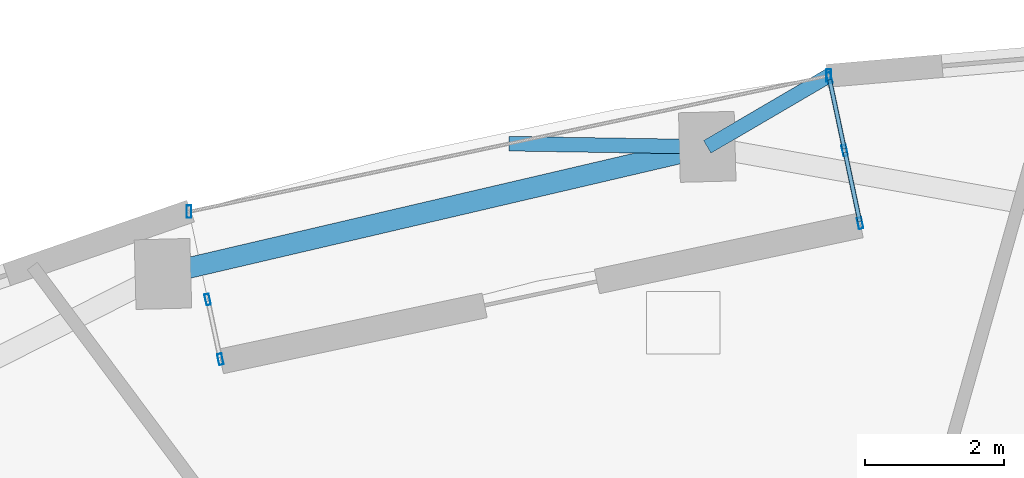
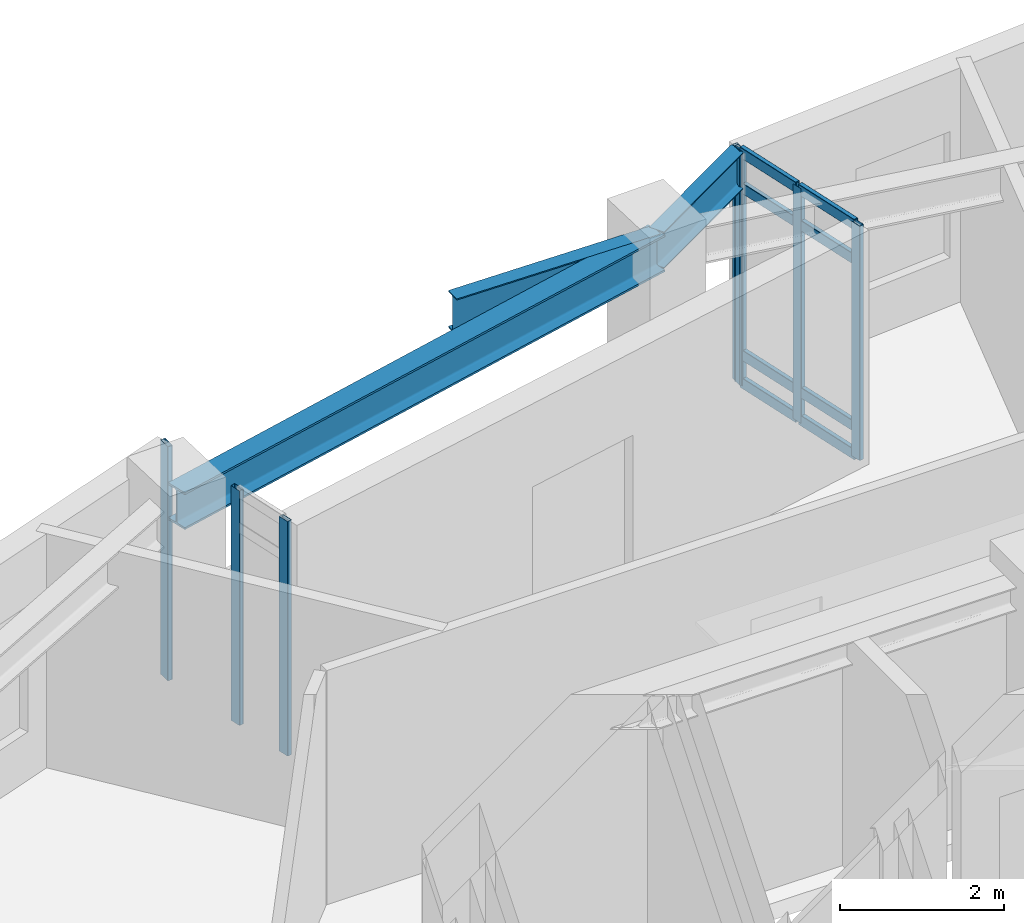
# One storey, part 2 of 10: 15 members, 3 beams, 2 elements without a shape of their own.
"""IFC4 building model written with IfcOpenShell, lengths in metres."""

from ifc_helpers import new_model, si_unit, direction, frame, origin, origin_2d, place, context, subcontext, project, spatial, hollow_rectangle, i_section, extrude, material, layer, layer_set, material_profile, profile_set, type_object, element, aggregate, save


model = new_model("IFC4")

# Units and contexts
model_context = context("Model", 3, precision=1e-05, world=origin(), true_north=direction((0.0, 1.0)))
body_context = subcontext(model_context, "Body", "Model", "MODEL_VIEW")
ifc_project = project(units=[si_unit("LENGTHUNIT", "METRE"), si_unit("AREAUNIT", "SQUARE_METRE"), si_unit("VOLUMEUNIT", "CUBIC_METRE"), si_unit("PLANEANGLEUNIT", "RADIAN"), si_unit("MASSUNIT", "GRAM", prefix="KILO")], contexts=[model_context])

# Site, building, storey
site_placement = place(None, origin())
site = spatial("IfcSite", under=ifc_project, at=site_placement, CompositionType="ELEMENT")
building_placement = place(site_placement, origin())
building = spatial("IfcBuilding", under=site, at=building_placement, Name="Ndelora Gate Hotel", CompositionType="ELEMENT")
storey_placement = place(building_placement, frame((0.0, 0.0, 251.14990234375)))
storey = spatial("IfcBuildingStorey", under=building, at=storey_placement, Name="L63", CompositionType="ELEMENT", Elevation=251.14990234375)

# Beams
ifc_material_1 = material(Name="Steel S355", Category="steel")
ifc_material_profile_1 = material_profile(ifc_material_1, i_section(OverallWidth=0.2099609375, OverallDepth=0.550048828125, WebThickness=0.010986328125, FlangeThickness=0.01708984375, FilletRadius=0.02392578125, at=origin_2d()), Name="IPE 550")
ifc_profile_set_1 = profile_set([ifc_material_profile_1], Name="Steel S355")
beam_type_1 = type_object("IfcBeamType", Name="BM-RAD-550", PredefinedType="BEAM", material=ifc_profile_set_1)
beam_1_placement = place(storey_placement, frame((-0.399169921875, 15.242919921875, 3.215087890625), z_axis=(0.863029860311, 0.505152907754, 0.0), x_axis=(-0.505152907754, 0.863029860311, 0.0)))
element("IfcBeam", 1, at=beam_1_placement, inside=storey, type_object=beam_type_1, Name="L63 Sky-Garden Loggia Column Bracket 1", PredefinedType="BEAM", context=body_context, shape_type="SweptSolid", body=[
    extrude(i_section(OverallWidth=0.2099609375, OverallDepth=0.550048828125, WebThickness=0.010986328125, FlangeThickness=0.01708984375, FilletRadius=0.02392578125, at=origin_2d()), origin(), (0.0, 0.0, 1.0), 2.024169921875),
])
beam_2_placement = place(storey_placement, frame((-0.399169921875, 15.242919921875, 3.215087890625), z_axis=(-0.999873118165, 0.015929456101, 0.0), x_axis=(-0.015929456101, -0.999873118165, 0.0)))
element("IfcBeam", 2, at=beam_2_placement, inside=storey, type_object=beam_type_1, Name="L63 Sky-Garden Loggia Column Bracket 2", PredefinedType="BEAM", context=body_context, shape_type="SweptSolid", body=[
    extrude(i_section(OverallWidth=0.2099609375, OverallDepth=0.550048828125, WebThickness=0.010986328125, FlangeThickness=0.01708984375, FilletRadius=0.02392578125, at=origin_2d()), origin(), (0.0, 0.0, 1.0), 2.8505859375),
])
ifc_material_profile_2 = material_profile(ifc_material_1, i_section(OverallWidth=0.300048828125, OverallDepth=0.550048828125, WebThickness=0.014892578125, FlangeThickness=0.029052734375, FilletRadius=0.027099609375, at=origin_2d()), Name="HEB 550")
ifc_profile_set_2 = profile_set([ifc_material_profile_2], Name="Steel S355")
beam_type_2 = type_object("IfcBeamType", Name="BM-RING-550", PredefinedType="SPANDREL", material=ifc_profile_set_2)
beam_3_placement = place(storey_placement, frame((-0.399169921875, 15.242919921875, 3.215087890625), z_axis=(-0.973809142107, -0.227367004529, 0.0), x_axis=(0.227367004529, -0.973809142107, 0.0)))
element("IfcBeam", 3, at=beam_3_placement, inside=storey, type_object=beam_type_2, Name="L63 Perimeter Spandrel Girder 11", PredefinedType="SPANDREL", context=body_context, shape_type="SweptSolid", body=[
    extrude(i_section(OverallWidth=0.300048828125, OverallDepth=0.550048828125, WebThickness=0.014892578125, FlangeThickness=0.029052734375, FilletRadius=0.027099609375, at=origin_2d()), origin(), (0.0, 0.0, 1.0), 8.032958984375),
])

# Curtain wall, members
ifc_material_2 = material(Name="Bronze Anodised Unitised Aluminium and Low-E Glass", Category="aluminium")
ifc_layer = layer(ifc_material_2, 0.199951171875)
ifc_layer_set = layer_set([ifc_layer], Name="Bronze Anodised Unitised Aluminium and Low-E Glass")
curtain_wall_type = type_object("IfcCurtainWallType", Name="CW-SYS-3", PredefinedType="NOTDEFINED", material=ifc_layer_set)
curtain_wall_1_placement = place(storey_placement, origin())
curtain_wall_1 = element("IfcCurtainWall", 4, at=curtain_wall_1_placement, inside=storey, type_object=curtain_wall_type, Name="L63 Sky-Garden Loggia Side Curtain Wall CW3-1", PredefinedType="NOTDEFINED")
ifc_material_3 = material(Name="Bronze Anodised Aluminium 6063-T6", Category="aluminium")
ifc_material_profile_3 = material_profile(ifc_material_3, hollow_rectangle(XDim=0.06494140625, YDim=0.159912109375, WallThickness=0.00390625, InnerFilletRadius=0.00390625, OuterFilletRadius=0.008056640625, at=origin_2d()), Name="ALU 160x65x4")
ifc_profile_set_3 = profile_set([ifc_material_profile_3], Name="Bronze Anodised Aluminium 6063-T6")
member_type_1 = type_object("IfcMemberType", Name="MB-CW-MUL150", PredefinedType="MULLION", material=ifc_profile_set_3)
member_1_placement = place(storey_placement, frame((1.79833984375, 14.1455078125, -0.00390625), z_axis=(0.0, 0.0, 1.0), x_axis=(-0.978147643724, -0.207911488567, 0.0)))
member_1 = element("IfcMember", 5, at=member_1_placement, type_object=member_type_1, Name="CW3 mullion 1", PredefinedType="MULLION", context=body_context, shape_type="SweptSolid", body=[
    extrude(hollow_rectangle(XDim=0.06494140625, YDim=0.159912109375, WallThickness=0.00390625, InnerFilletRadius=0.00390625, OuterFilletRadius=0.008056640625, at=origin_2d()), origin(), (0.0, 0.0, 1.0), 3.498046875),
])
member_2_placement = place(storey_placement, frame((1.576416015625, 15.189453125, -0.00390625), z_axis=(0.0, 0.0, 1.0), x_axis=(-0.978147643724, -0.207911488567, 0.0)))
member_2 = element("IfcMember", 6, at=member_2_placement, type_object=member_type_1, Name="CW3 mullion 2", PredefinedType="MULLION", context=body_context, shape_type="SweptSolid", body=[
    extrude(hollow_rectangle(XDim=0.06494140625, YDim=0.159912109375, WallThickness=0.00390625, InnerFilletRadius=0.00390625, OuterFilletRadius=0.008056640625, at=origin_2d()), origin(), (0.0, 0.0, 1.0), 3.498046875),
])
member_3_placement = place(storey_placement, frame((1.3544921875, 16.233642578125, -0.00390625), z_axis=(0.0, 0.0, 1.0), x_axis=(-0.978147643724, -0.207911488567, 0.0)))
member_3 = element("IfcMember", 7, at=member_3_placement, type_object=member_type_1, Name="CW3 mullion 3", PredefinedType="MULLION", context=body_context, shape_type="SweptSolid", body=[
    extrude(hollow_rectangle(XDim=0.06494140625, YDim=0.159912109375, WallThickness=0.00390625, InnerFilletRadius=0.00390625, OuterFilletRadius=0.008056640625, at=origin_2d()), origin(), (0.0, 0.0, 1.0), 3.498046875),
])

curtain_wall_2_placement = place(storey_placement, origin())
curtain_wall_2 = element("IfcCurtainWall", 8, at=curtain_wall_2_placement, inside=storey, type_object=curtain_wall_type, Name="L63 Sky-Garden Loggia Side Curtain Wall CW3-2", PredefinedType="NOTDEFINED")
member_4_placement = place(storey_placement, frame((-7.57861328125, 13.04833984375, -0.00390625), z_axis=(0.0, 0.0, 1.0), x_axis=(0.978139952738, 0.207947668555, 0.0)))
member_4 = element("IfcMember", 9, at=member_4_placement, type_object=member_type_1, Name="CW3 mullion 1", PredefinedType="MULLION", context=body_context, shape_type="SweptSolid", body=[
    extrude(hollow_rectangle(XDim=0.06494140625, YDim=0.159912109375, WallThickness=0.00390625, InnerFilletRadius=0.00390625, OuterFilletRadius=0.008056640625, at=origin_2d()), origin(), (0.0, 0.0, 1.0), 3.498046875),
])
member_5_placement = place(storey_placement, frame((-7.396240234375, 12.19091796875, -0.00390625), z_axis=(0.0, 0.0, 1.0), x_axis=(0.978139952738, 0.207947668555, 0.0)))
member_5 = element("IfcMember", 10, at=member_5_placement, type_object=member_type_1, Name="CW3 mullion 2", PredefinedType="MULLION", context=body_context, shape_type="SweptSolid", body=[
    extrude(hollow_rectangle(XDim=0.06494140625, YDim=0.159912109375, WallThickness=0.00390625, InnerFilletRadius=0.00390625, OuterFilletRadius=0.008056640625, at=origin_2d()), origin(), (0.0, 0.0, 1.0), 3.498046875),
])

# Member
ifc_material_profile_4 = material_profile(ifc_material_3, hollow_rectangle(XDim=0.070068359375, YDim=0.179931640625, WallThickness=0.0048828125, InnerFilletRadius=0.0048828125, OuterFilletRadius=0.010009765625, at=origin_2d()), Name="ALU 180x70x5")
ifc_profile_set_4 = profile_set([ifc_material_profile_4], Name="Bronze Anodised Aluminium 6063-T6")
member_type_2 = type_object("IfcMemberType", Name="MB-CW-MUL180", PredefinedType="MULLION", material=ifc_profile_set_4)
member_6_placement = place(storey_placement, frame((1.34765625, 16.265380859375, 0.0), z_axis=(0.0, 0.0, 1.0), x_axis=(1.0, 0.0, 0.0)))
member_6 = element("IfcMember", 11, at=member_6_placement, type_object=member_type_2, Name="L63 Sky-Garden Loggia Corner Mullion Post 1", PredefinedType="MULLION", context=body_context, shape_type="SweptSolid", body=[
    extrude(hollow_rectangle(XDim=0.070068359375, YDim=0.179931640625, WallThickness=0.0048828125, InnerFilletRadius=0.0048828125, OuterFilletRadius=0.010009765625, at=origin_2d()), origin(), (0.0, 0.0, 1.0), 3.489990234375),
])

member_7_placement = place(storey_placement, frame((-7.846923828125, 14.311279296875, 0.0), z_axis=(0.0, 0.0, 1.0), x_axis=(1.0, 0.0, 0.0)))
member_7 = element("IfcMember", 12, at=member_7_placement, type_object=member_type_2, Name="L63 Sky-Garden Loggia Corner Mullion Post 2", PredefinedType="MULLION", context=body_context, shape_type="SweptSolid", body=[
    extrude(hollow_rectangle(XDim=0.070068359375, YDim=0.179931640625, WallThickness=0.0048828125, InnerFilletRadius=0.0048828125, OuterFilletRadius=0.010009765625, at=origin_2d()), origin(), (0.0, 0.0, 1.0), 3.489990234375),
])

aggregate(curtain_wall_2, [member_4, member_5, member_7])

ifc_material_profile_5 = material_profile(ifc_material_3, hollow_rectangle(XDim=0.06494140625, YDim=0.159912109375, WallThickness=0.00390625, InnerFilletRadius=0.00390625, OuterFilletRadius=0.008056640625, at=origin_2d()), Name="ALU 160x65x4")
ifc_profile_set_5 = profile_set([ifc_material_profile_5], Name="Bronze Anodised Aluminium 6063-T6")
member_type_3 = type_object("IfcMemberType", Name="MB-CW-TRN150", PredefinedType="USERDEFINED", material=ifc_profile_set_5)
member_8_placement = place(storey_placement, frame((1.792724609375, 14.17138671875, 0.03271484375), z_axis=(-0.207720575794, 0.978188203973, 0.0), x_axis=(-0.978188203973, -0.207720575794, 0.0)))
member_8 = element("IfcMember", 13, at=member_8_placement, type_object=member_type_3, Name="CW3 transom 1.1", ObjectType="TRANSOM", PredefinedType="USERDEFINED", context=body_context, shape_type="SweptSolid", body=[
    extrude(hollow_rectangle(XDim=0.06494140625, YDim=0.159912109375, WallThickness=0.00390625, InnerFilletRadius=0.00390625, OuterFilletRadius=0.008056640625, at=origin_2d()), origin(), (0.0, 0.0, 1.0), 1.014404296875),
])

member_9_placement = place(storey_placement, frame((1.792724609375, 14.17138671875, 0.4501953125), z_axis=(-0.207720575794, 0.978188203973, 0.0), x_axis=(-0.978188203973, -0.207720575794, 0.0)))
member_9 = element("IfcMember", 14, at=member_9_placement, type_object=member_type_3, Name="CW3 transom 1.2", ObjectType="TRANSOM", PredefinedType="USERDEFINED", context=body_context, shape_type="SweptSolid", body=[
    extrude(hollow_rectangle(XDim=0.06494140625, YDim=0.159912109375, WallThickness=0.00390625, InnerFilletRadius=0.00390625, OuterFilletRadius=0.008056640625, at=origin_2d()), origin(), (0.0, 0.0, 1.0), 1.014404296875),
])

member_10_placement = place(storey_placement, frame((1.792724609375, 14.17138671875, 2.940185546875), z_axis=(-0.207720575794, 0.978188203973, 0.0), x_axis=(-0.978188203973, -0.207720575794, 0.0)))
member_10 = element("IfcMember", 15, at=member_10_placement, type_object=member_type_3, Name="CW3 transom 1.3", ObjectType="TRANSOM", PredefinedType="USERDEFINED", context=body_context, shape_type="SweptSolid", body=[
    extrude(hollow_rectangle(XDim=0.06494140625, YDim=0.159912109375, WallThickness=0.00390625, InnerFilletRadius=0.00390625, OuterFilletRadius=0.008056640625, at=origin_2d()), origin(), (0.0, 0.0, 1.0), 1.014404296875),
])

member_11_placement = place(storey_placement, frame((1.792724609375, 14.17138671875, 3.45751953125), z_axis=(-0.207720575794, 0.978188203973, 0.0), x_axis=(-0.978188203973, -0.207720575794, 0.0)))
member_11 = element("IfcMember", 16, at=member_11_placement, type_object=member_type_3, Name="CW3 transom 1.4", ObjectType="TRANSOM", PredefinedType="USERDEFINED", context=body_context, shape_type="SweptSolid", body=[
    extrude(hollow_rectangle(XDim=0.06494140625, YDim=0.159912109375, WallThickness=0.00390625, InnerFilletRadius=0.00390625, OuterFilletRadius=0.008056640625, at=origin_2d()), origin(), (0.0, 0.0, 1.0), 1.014404296875),
])

member_12_placement = place(storey_placement, frame((1.57080078125, 15.215576171875, 0.03271484375), z_axis=(-0.207950868925, 0.97813927235, 0.0), x_axis=(-0.97813927235, -0.207950868925, 0.0)))
member_12 = element("IfcMember", 17, at=member_12_placement, type_object=member_type_3, Name="CW3 transom 2.1", ObjectType="TRANSOM", PredefinedType="USERDEFINED", context=body_context, shape_type="SweptSolid", body=[
    extrude(hollow_rectangle(XDim=0.06494140625, YDim=0.159912109375, WallThickness=0.00390625, InnerFilletRadius=0.00390625, OuterFilletRadius=0.008056640625, at=origin_2d()), origin(), (0.0, 0.0, 1.0), 1.014404296875),
])

member_13_placement = place(storey_placement, frame((1.57080078125, 15.215576171875, 0.4501953125), z_axis=(-0.207950868925, 0.97813927235, 0.0), x_axis=(-0.97813927235, -0.207950868925, 0.0)))
member_13 = element("IfcMember", 18, at=member_13_placement, type_object=member_type_3, Name="CW3 transom 2.2", ObjectType="TRANSOM", PredefinedType="USERDEFINED", context=body_context, shape_type="SweptSolid", body=[
    extrude(hollow_rectangle(XDim=0.06494140625, YDim=0.159912109375, WallThickness=0.00390625, InnerFilletRadius=0.00390625, OuterFilletRadius=0.008056640625, at=origin_2d()), origin(), (0.0, 0.0, 1.0), 1.014404296875),
])

member_14_placement = place(storey_placement, frame((1.57080078125, 15.215576171875, 2.940185546875), z_axis=(-0.207950868925, 0.97813927235, 0.0), x_axis=(-0.97813927235, -0.207950868925, 0.0)))
member_14 = element("IfcMember", 19, at=member_14_placement, type_object=member_type_3, Name="CW3 transom 2.3", ObjectType="TRANSOM", PredefinedType="USERDEFINED", context=body_context, shape_type="SweptSolid", body=[
    extrude(hollow_rectangle(XDim=0.06494140625, YDim=0.159912109375, WallThickness=0.00390625, InnerFilletRadius=0.00390625, OuterFilletRadius=0.008056640625, at=origin_2d()), origin(), (0.0, 0.0, 1.0), 1.014404296875),
])

member_15_placement = place(storey_placement, frame((1.57080078125, 15.215576171875, 3.45751953125), z_axis=(-0.207950868925, 0.97813927235, 0.0), x_axis=(-0.97813927235, -0.207950868925, 0.0)))
member_15 = element("IfcMember", 20, at=member_15_placement, type_object=member_type_3, Name="CW3 transom 2.4", ObjectType="TRANSOM", PredefinedType="USERDEFINED", context=body_context, shape_type="SweptSolid", body=[
    extrude(hollow_rectangle(XDim=0.06494140625, YDim=0.159912109375, WallThickness=0.00390625, InnerFilletRadius=0.00390625, OuterFilletRadius=0.008056640625, at=origin_2d()), origin(), (0.0, 0.0, 1.0), 1.014404296875),
])

aggregate(curtain_wall_1, [member_1, member_2, member_3, member_8, member_9, member_10, member_11, member_12, member_13, member_14, member_15, member_6])

save(model, "model.ifc")
